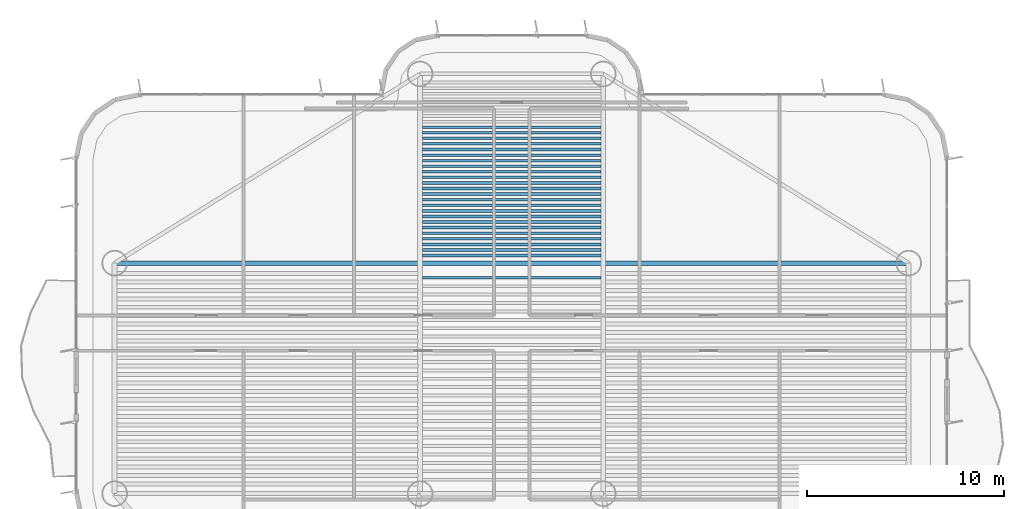
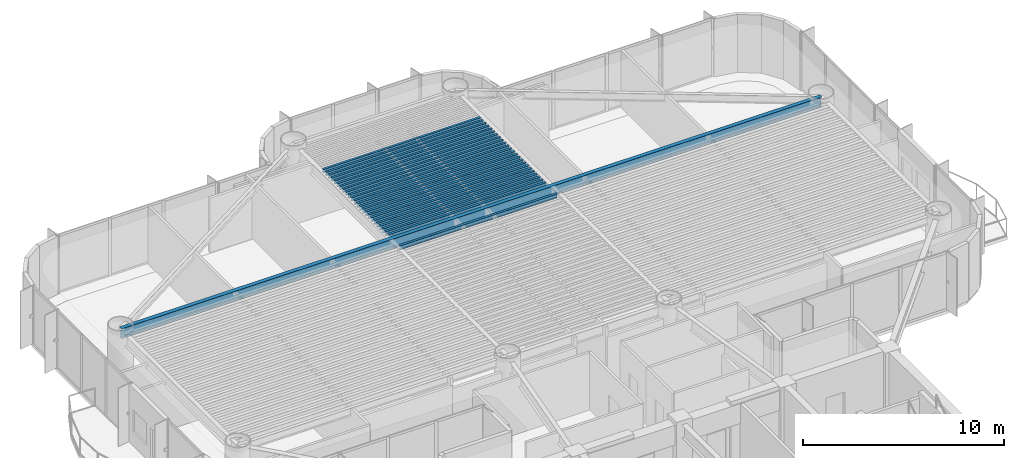
# One storey, part 6 of 16: 26 beams.
"""IFC4 building model written with IfcOpenShell, lengths in metres."""

from ifc_helpers import new_model, si_unit, direction, frame, origin, origin_2d, place, context, subcontext, project, spatial, i_section, extrude, source, transform, mapped, material, material_profile, profile_set, type_object, element, save


model = new_model("IFC4")

# Units and contexts
model_context = context("Model", 3, precision=1e-05, world=origin(), true_north=direction((0.0, 1.0)))
body_context = subcontext(model_context, "Body", "Model", "MODEL_VIEW")
ifc_project = project(units=[si_unit("LENGTHUNIT", "METRE"), si_unit("AREAUNIT", "SQUARE_METRE"), si_unit("VOLUMEUNIT", "CUBIC_METRE"), si_unit("PLANEANGLEUNIT", "RADIAN"), si_unit("MASSUNIT", "GRAM", prefix="KILO")], contexts=[model_context])

# Site, building, storey
site_placement = place(None, origin())
site = spatial("IfcSite", under=ifc_project, at=site_placement, CompositionType="ELEMENT")
building_placement = place(site_placement, origin())
building = spatial("IfcBuilding", under=site, at=building_placement, Name="Brelvock Crest Care Tower", CompositionType="ELEMENT")
storey_placement = place(building_placement, frame((0.0, 0.0, 120.06005859375)))
storey = spatial("IfcBuildingStorey", under=building, at=storey_placement, Name="L30", CompositionType="ELEMENT", Elevation=120.06005859375)

# Beams
ifc_material = material(Name="Steel Grade 350", Category="steel")
ifc_material_profile_1 = material_profile(ifc_material, i_section(OverallWidth=0.14599609375, OverallDepth=0.256103515625, WebThickness=0.00634765625, FlangeThickness=0.010986328125, FilletRadius=0.0087890625, at=origin_2d()), Name="250UB37.3")
ifc_profile_set_1 = profile_set([ifc_material_profile_1], Name="Steel Grade 350")
beam_type_1 = type_object("IfcBeamType", Name="BM-J3", PredefinedType="JOIST", material=ifc_profile_set_1)
shared_shape_1 = source(origin(), body_context, "Body", "SweptSolid", [
    extrude(i_section(OverallWidth=0.14599609375, OverallDepth=0.256103515625, WebThickness=0.00634765625, FlangeThickness=0.010986328125, FilletRadius=0.0087890625, at=origin_2d()), origin(), (0.0, 0.0, 1.0), 9.06982421875),
])
for number, where, z_axis, x_axis, name in (
    (1, (31.465087890625, 38.10400390625, 3.40185546875), (1.0, 0.0, 0.0), (0.0, 1.0, 0.0), "BM-JH-L30-25"),
    (2, (31.465087890625, 39.23388671875, 3.40185546875), (1.0, 0.0, 0.0), (0.0, 1.0, 0.0), "BM-JN-L30-1"),
    (3, (31.465087890625, 39.51708984375, 3.40185546875), (1.0, 0.0, 0.0), (0.0, 1.0, 0.0), "BM-JN-L30-2"),
    (4, (31.465087890625, 39.80029296875, 3.40185546875), (1.0, 0.0, 0.0), (0.0, 1.0, 0.0), "BM-JN-L30-3"),
    (5, (31.465087890625, 40.08349609375, 3.40185546875), (1.0, 0.0, 0.0), (0.0, 1.0, 0.0), "BM-JN-L30-4"),
    (6, (31.465087890625, 40.36669921875, 3.40185546875), (1.0, 0.0, 0.0), (0.0, 1.0, 0.0), "BM-JN-L30-5"),
    (7, (31.465087890625, 40.64990234375, 3.40185546875), (1.0, 0.0, 0.0), (0.0, 1.0, 0.0), "BM-JN-L30-6"),
    (8, (31.465087890625, 40.93310546875, 3.40185546875), (1.0, 0.0, 0.0), (0.0, 1.0, 0.0), "BM-JN-L30-7"),
    (9, (31.465087890625, 41.21630859375, 3.40185546875), (1.0, 0.0, 0.0), (0.0, 1.0, 0.0), "BM-JN-L30-8"),
    (10, (31.465087890625, 41.49951171875, 3.40185546875), (1.0, 0.0, 0.0), (0.0, 1.0, 0.0), "BM-JN-L30-9"),
    (11, (31.465087890625, 41.78271484375, 3.40185546875), (1.0, 0.0, 0.0), (0.0, 1.0, 0.0), "BM-JN-L30-10"),
    (12, (31.465087890625, 42.06591796875, 3.40185546875), (1.0, 0.0, 0.0), (0.0, 1.0, 0.0), "BM-JN-L30-11"),
    (13, (31.465087890625, 42.34912109375, 3.40185546875), (1.0, 0.0, 0.0), (0.0, 1.0, 0.0), "BM-JN-L30-12"),
    (14, (31.465087890625, 42.63232421875, 3.40185546875), (1.0, 0.0, 0.0), (0.0, 1.0, 0.0), "BM-JN-L30-13"),
):
    element("IfcBeam", number, at=place(storey_placement, frame(where, z_axis=z_axis, x_axis=x_axis)), inside=storey, type_object=beam_type_1, Name=name, PredefinedType="JOIST", context=body_context, shape_type="MappedRepresentation", body=[
        mapped(shared_shape_1, transform((0.0, 0.0, 0.0), x_axis=(1.0, 0.0, 0.0), y_axis=(0.0, 1.0, 0.0), z_axis=(0.0, 0.0, 1.0), scale=1.0)),
    ])
ifc_material_profile_2 = material_profile(ifc_material, i_section(OverallWidth=0.134033203125, OverallDepth=0.20703125, WebThickness=0.00634765625, FlangeThickness=0.009521484375, FilletRadius=0.0087890625, at=origin_2d()), Name="200UB29.8")
ifc_profile_set_2 = profile_set([ifc_material_profile_2], Name="Steel Grade 350")
beam_type_2 = type_object("IfcBeamType", Name="BM-J4", PredefinedType="JOIST", material=ifc_profile_set_2)
shared_shape_2 = source(origin(), body_context, "Body", "SweptSolid", [
    extrude(i_section(OverallWidth=0.134033203125, OverallDepth=0.20703125, WebThickness=0.00634765625, FlangeThickness=0.009521484375, FilletRadius=0.0087890625, at=origin_2d()), origin(), (0.0, 0.0, 1.0), 9.06982421875),
])
for number, where, z_axis, x_axis, name in (
    (15, (31.465087890625, 42.91552734375, 3.426513671875), (1.0, 0.0, 0.0), (0.0, 1.0, 0.0), "BM-JN-L30-14"),
    (16, (31.465087890625, 43.19873046875, 3.426513671875), (1.0, 0.0, 0.0), (0.0, 1.0, 0.0), "BM-JN-L30-15"),
    (17, (31.465087890625, 43.48193359375, 3.426513671875), (1.0, 0.0, 0.0), (0.0, 1.0, 0.0), "BM-JN-L30-16"),
    (18, (31.465087890625, 43.76513671875, 3.426513671875), (1.0, 0.0, 0.0), (0.0, 1.0, 0.0), "BM-JN-L30-17"),
    (19, (31.465087890625, 44.04833984375, 3.426513671875), (1.0, 0.0, 0.0), (0.0, 1.0, 0.0), "BM-JN-L30-18"),
    (20, (31.465087890625, 44.33154296875, 3.426513671875), (1.0, 0.0, 0.0), (0.0, 1.0, 0.0), "BM-JN-L30-19"),
    (21, (31.465087890625, 44.61474609375, 3.426513671875), (1.0, 0.0, 0.0), (0.0, 1.0, 0.0), "BM-JN-L30-20"),
    (22, (31.465087890625, 44.89794921875, 3.426513671875), (1.0, 0.0, 0.0), (0.0, 1.0, 0.0), "BM-JN-L30-21"),
    (23, (31.465087890625, 45.18115234375, 3.426513671875), (1.0, 0.0, 0.0), (0.0, 1.0, 0.0), "BM-JN-L30-22"),
    (24, (31.465087890625, 45.46435546875, 3.426513671875), (1.0, 0.0, 0.0), (0.0, 1.0, 0.0), "BM-JN-L30-23"),
    (25, (31.465087890625, 45.74755859375, 3.426513671875), (1.0, 0.0, 0.0), (0.0, 1.0, 0.0), "BM-JN-L30-24"),
):
    element("IfcBeam", number, at=place(storey_placement, frame(where, z_axis=z_axis, x_axis=x_axis)), inside=storey, type_object=beam_type_2, Name=name, PredefinedType="JOIST", context=body_context, shape_type="MappedRepresentation", body=[
        mapped(shared_shape_2, transform((0.0, 0.0, 0.0), x_axis=(1.0, 0.0, 0.0), y_axis=(0.0, 1.0, 0.0), z_axis=(0.0, 0.0, 1.0), scale=1.0)),
    ])
ifc_material_profile_3 = material_profile(ifc_material, i_section(OverallWidth=0.22900390625, OverallDepth=0.612060546875, WebThickness=0.011962890625, FlangeThickness=0.01953125, FilletRadius=0.013916015625, at=origin_2d()), Name="610UB125")
ifc_profile_set_3 = profile_set([ifc_material_profile_3], Name="Steel Grade 350")
beam_type_3 = type_object("IfcBeamType", Name="BM-G1", PredefinedType="BEAM", material=ifc_profile_set_3)
shared_shape_3 = source(origin(), body_context, "Body", "SweptSolid", [
    extrude(i_section(OverallWidth=0.22900390625, OverallDepth=0.612060546875, WebThickness=0.011962890625, FlangeThickness=0.01953125, FilletRadius=0.013916015625, at=origin_2d()), origin(), (0.0, 0.0, 1.0), 40.2998046875),
])
beam_placement = place(storey_placement, frame((15.85009765625, 38.85009765625, 3.223876953125), z_axis=(1.0, 0.0, 0.0), x_axis=(0.0, 1.0, 0.0)))
element("IfcBeam", 26, at=beam_placement, inside=storey, type_object=beam_type_3, Name="BM-TWR-L30-11", PredefinedType="BEAM", context=body_context, shape_type="MappedRepresentation", body=[
    mapped(shared_shape_3, transform((0.0, 0.0, 0.0), x_axis=(1.0, 0.0, 0.0), y_axis=(0.0, 1.0, 0.0), z_axis=(0.0, 0.0, 1.0), scale=1.0)),
])

save(model, "model.ifc")
